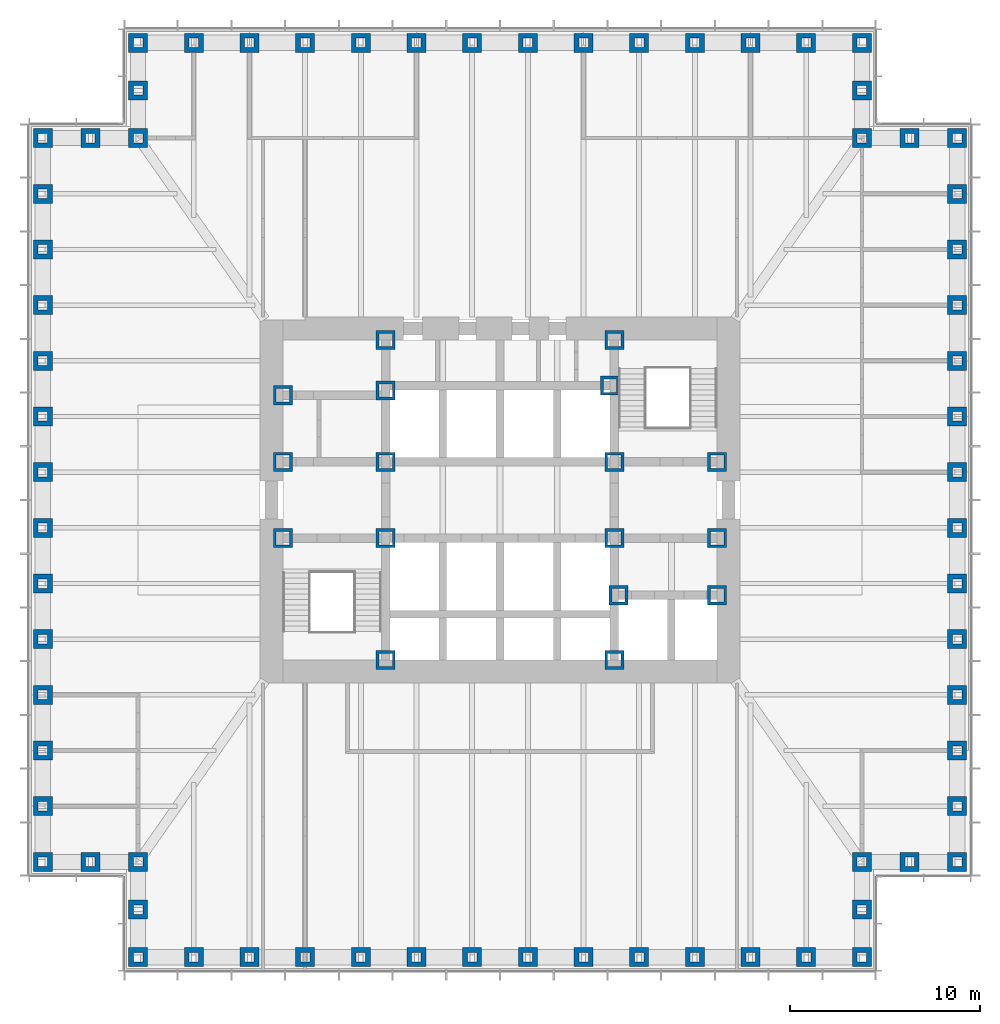
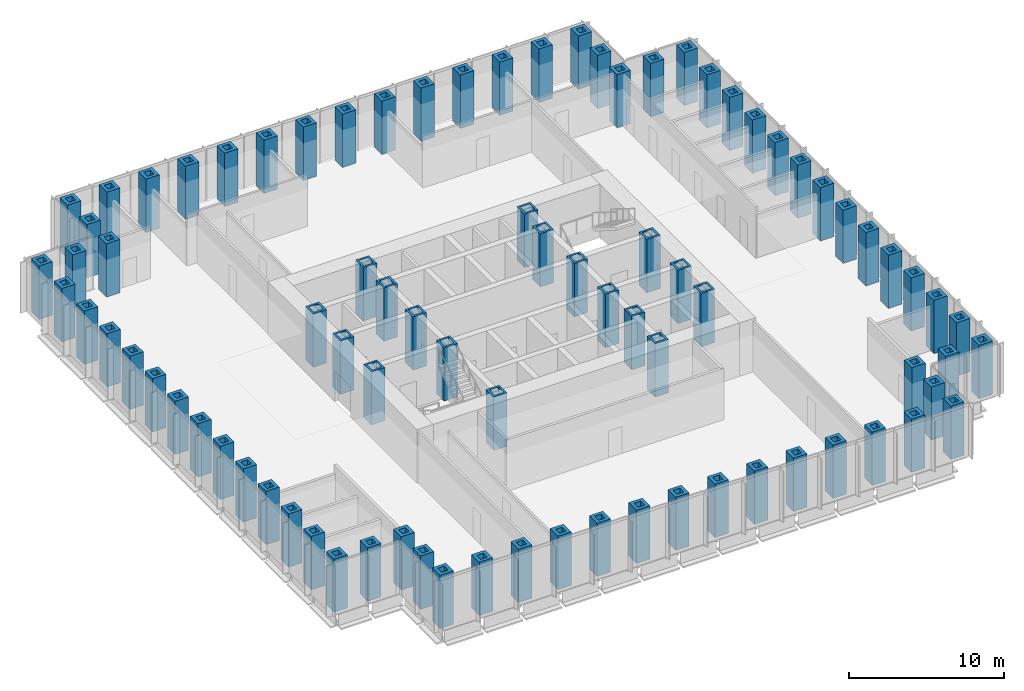
# One storey, part 1 of 16: 85 columns.
"""IFC4 building model written with IfcOpenShell, lengths in metres."""

from ifc_helpers import new_model, si_unit, direction, frame, origin, origin_2d, place, context, subcontext, project, spatial, hollow_rectangle, extrude, material, material_profile, profile_set, type_object, element, save


model = new_model("IFC4")

# Units and contexts
model_context = context("Model", 3, precision=1e-05, world=origin(), true_north=direction((0.0, 1.0)))
body_context = subcontext(model_context, "Body", "Model", "MODEL_VIEW")
ifc_project = project(units=[si_unit("LENGTHUNIT", "METRE"), si_unit("AREAUNIT", "SQUARE_METRE"), si_unit("VOLUMEUNIT", "CUBIC_METRE"), si_unit("PLANEANGLEUNIT", "RADIAN"), si_unit("MASSUNIT", "GRAM", prefix="KILO")], contexts=[model_context])

# Site, building, storey
site_placement = place(None, origin())
site = spatial("IfcSite", under=ifc_project, at=site_placement, CompositionType="ELEMENT")
building_placement = place(site_placement, origin())
building = spatial("IfcBuilding", under=site, at=building_placement, Name="Daluyong Arena Tower", CompositionType="ELEMENT")
storey_placement = place(building_placement, frame((0.0, 0.0, 51.699951171875)))
storey = spatial("IfcBuildingStorey", under=building, at=storey_placement, Name="L10", CompositionType="ELEMENT", Elevation=51.699951171875)

# Columns
ifc_material_1 = material(Name="Steel ASTM A588 Grade 50", Category="steel")
ifc_material_profile_1 = material_profile(ifc_material_1, hollow_rectangle(XDim=1.0, YDim=1.0, WallThickness=0.15, at=origin_2d()))
ifc_profile_set_1 = profile_set([ifc_material_profile_1], Name="Steel ASTM A588 Grade 50")
column_type_1 = type_object("IfcColumnType", Name="Core boundary column BX1000X150", PredefinedType="COLUMN", material=ifc_profile_set_1)
for number, where, z_axis, x_axis, name in (
    (1, (44.60009765625, 78.0, 0.0), (0.0, 0.0, 1.0), (1.0, 0.0, 0.0), "core boundary column BC1"),
    (2, (44.60009765625, 82.0, 0.0), (0.0, 0.0, 1.0), (1.0, 0.0, 0.0), "core boundary column BC1"),
    (3, (44.60009765625, 85.5, 0.0), (0.0, 0.0, 1.0), (1.0, 0.0, 0.0), "core boundary column BC1"),
    (4, (50.0, 71.60009765625, 0.0), (0.0, 0.0, 1.0), (1.0, 0.0, 0.0), "core boundary column BC1"),
    (5, (50.0, 78.0, 0.0), (0.0, 0.0, 1.0), (1.0, 0.0, 0.0), "core boundary column BC1"),
    (6, (50.0, 82.0, 0.0), (0.0, 0.0, 1.0), (1.0, 0.0, 0.0), "core boundary column BC1"),
    (7, (50.0, 85.75, 0.0), (0.0, 0.0, 1.0), (1.0, 0.0, 0.0), "core boundary column BC1"),
    (8, (50.0, 88.39990234375, 0.0), (0.0, 0.0, 1.0), (1.0, 0.0, 0.0), "core boundary column BC1"),
    (9, (61.77490234375, 86.0, 0.0), (0.0, 0.0, 1.0), (1.0, 0.0, 0.0), "core boundary column BC1"),
    (10, (62.0, 71.60009765625, 0.0), (0.0, 0.0, 1.0), (1.0, 0.0, 0.0), "core boundary column BC1"),
    (11, (62.0, 78.0, 0.0), (0.0, 0.0, 1.0), (1.0, 0.0, 0.0), "core boundary column BC1"),
    (12, (62.0, 82.0, 0.0), (0.0, 0.0, 1.0), (1.0, 0.0, 0.0), "core boundary column BC1"),
    (13, (62.0, 88.39990234375, 0.0), (0.0, 0.0, 1.0), (1.0, 0.0, 0.0), "core boundary column BC1"),
    (14, (62.22509765625, 75.0, 0.0), (0.0, 0.0, 1.0), (1.0, 0.0, 0.0), "core boundary column BC1"),
    (15, (67.39990234375, 75.0, 0.0), (0.0, 0.0, 1.0), (1.0, 0.0, 0.0), "core boundary column BC1"),
    (16, (67.39990234375, 78.0, 0.0), (0.0, 0.0, 1.0), (1.0, 0.0, 0.0), "core boundary column BC1"),
    (17, (67.39990234375, 82.0, 0.0), (0.0, 0.0, 1.0), (1.0, 0.0, 0.0), "core boundary column BC1"),
):
    element("IfcColumn", number, at=place(storey_placement, frame(where, z_axis=z_axis, x_axis=x_axis)), inside=storey, type_object=column_type_1, Name=name, PredefinedType="COLUMN", context=body_context, shape_type="SweptSolid", body=[
        extrude(hollow_rectangle(XDim=1.0, YDim=1.0, WallThickness=0.15, at=origin_2d()), origin(), (0.0, 0.0, 1.0), 4.199951171875),
    ])
ifc_material_2 = material(Name="Steel ASTM A36", Category="steel")
ifc_material_profile_2 = material_profile(ifc_material_2, hollow_rectangle(XDim=1.0, YDim=1.0, WallThickness=0.25, at=origin_2d()))
ifc_profile_set_2 = profile_set([ifc_material_profile_2], Name="Steel ASTM A36")
column_type_2 = type_object("IfcColumnType", Name="Tube column BX1000X250 BX1000X250", PredefinedType="COLUMN", material=ifc_profile_set_2)
for number, where, z_axis, x_axis, name in (
    (18, (37.0, 56.0, 0.0), (0.0, 0.0, 1.0), (1.0, 0.0, 0.0), "tube column bx1000x250 TC2"),
    (19, (39.923095703125, 56.0, 0.0), (0.0, 0.0, 1.0), (1.0, 0.0, 0.0), "tube column bx1000x250 TC2"),
    (20, (42.84619140625, 56.0, 0.0), (0.0, 0.0, 1.0), (1.0, 0.0, 0.0), "tube column bx1000x250 TC2"),
    (21, (45.769287109375, 56.0, 0.0), (0.0, 0.0, 1.0), (1.0, 0.0, 0.0), "tube column bx1000x250 TC2"),
    (22, (48.6923828125, 56.0, 0.0), (0.0, 0.0, 1.0), (1.0, 0.0, 0.0), "tube column bx1000x250 TC2"),
    (23, (51.615478515625, 56.0, 0.0), (0.0, 0.0, 1.0), (1.0, 0.0, 0.0), "tube column bx1000x250 TC2"),
    (24, (54.53857421875, 56.0, 0.0), (0.0, 0.0, 1.0), (1.0, 0.0, 0.0), "tube column bx1000x250 TC2"),
    (25, (57.46142578125, 56.0, 0.0), (0.0, 0.0, 1.0), (1.0, 0.0, 0.0), "tube column bx1000x250 TC2"),
    (26, (60.384521484375, 56.0, 0.0), (0.0, 0.0, 1.0), (1.0, 0.0, 0.0), "tube column bx1000x250 TC2"),
    (27, (63.3076171875, 56.0, 0.0), (0.0, 0.0, 1.0), (1.0, 0.0, 0.0), "tube column bx1000x250 TC2"),
    (28, (66.230712890625, 56.0, 0.0), (0.0, 0.0, 1.0), (1.0, 0.0, 0.0), "tube column bx1000x250 TC2"),
    (29, (69.15380859375, 56.0, 0.0), (0.0, 0.0, 1.0), (1.0, 0.0, 0.0), "tube column bx1000x250 TC2"),
    (30, (72.076904296875, 56.0, 0.0), (0.0, 0.0, 1.0), (1.0, 0.0, 0.0), "tube column bx1000x250 TC2"),
    (31, (75.0, 56.0, 0.0), (0.0, 0.0, 1.0), (0.0, 1.0, 0.0), "tube column bx1000x250 TC2"),
    (32, (75.0, 58.5, 0.0), (0.0, 0.0, 1.0), (0.0, 1.0, 0.0), "tube column bx1000x250 TC2"),
    (33, (75.0, 61.0, 0.0), (0.0, 0.0, 1.0), (1.0, 0.0, 0.0), "tube column bx1000x250 TC2"),
    (34, (77.5, 61.0, 0.0), (0.0, 0.0, 1.0), (1.0, 0.0, 0.0), "tube column bx1000x250 TC2"),
    (35, (80.0, 61.0, 0.0), (0.0, 0.0, 1.0), (0.0, 1.0, 0.0), "tube column bx1000x250 TC2"),
    (36, (80.0, 63.923095703125, 0.0), (0.0, 0.0, 1.0), (0.0, 1.0, 0.0), "tube column bx1000x250 TC2"),
    (37, (80.0, 66.84619140625, 0.0), (0.0, 0.0, 1.0), (0.0, 1.0, 0.0), "tube column bx1000x250 TC2"),
    (38, (80.0, 69.769287109375, 0.0), (0.0, 0.0, 1.0), (0.0, 1.0, 0.0), "tube column bx1000x250 TC2"),
    (39, (80.0, 72.6923828125, 0.0), (0.0, 0.0, 1.0), (0.0, 1.0, 0.0), "tube column bx1000x250 TC2"),
    (40, (80.0, 75.615478515625, 0.0), (0.0, 0.0, 1.0), (0.0, 1.0, 0.0), "tube column bx1000x250 TC2"),
    (41, (80.0, 78.53857421875, 0.0), (0.0, 0.0, 1.0), (0.0, 1.0, 0.0), "tube column bx1000x250 TC2"),
    (42, (80.0, 81.46142578125, 0.0), (0.0, 0.0, 1.0), (0.0, 1.0, 0.0), "tube column bx1000x250 TC2"),
    (43, (80.0, 84.384521484375, 0.0), (0.0, 0.0, 1.0), (0.0, 1.0, 0.0), "tube column bx1000x250 TC2"),
    (44, (80.0, 87.3076171875, 0.0), (0.0, 0.0, 1.0), (0.0, 1.0, 0.0), "tube column bx1000x250 TC2"),
    (45, (80.0, 90.230712890625, 0.0), (0.0, 0.0, 1.0), (0.0, 1.0, 0.0), "tube column bx1000x250 TC2"),
    (46, (80.0, 93.15380859375, 0.0), (0.0, 0.0, 1.0), (0.0, 1.0, 0.0), "tube column bx1000x250 TC2"),
    (47, (80.0, 96.076904296875, 0.0), (0.0, 0.0, 1.0), (0.0, 1.0, 0.0), "tube column bx1000x250 TC2"),
    (48, (80.0, 99.0, 0.0), (0.0, 0.0, 1.0), (1.0, 0.0, 0.0), "tube column bx1000x250 TC2"),
    (49, (77.5, 99.0, 0.0), (0.0, 0.0, 1.0), (1.0, 0.0, 0.0), "tube column bx1000x250 TC2"),
    (50, (75.0, 99.0, 0.0), (0.0, 0.0, 1.0), (0.0, 1.0, 0.0), "tube column bx1000x250 TC2"),
    (51, (75.0, 101.5, 0.0), (0.0, 0.0, 1.0), (0.0, 1.0, 0.0), "tube column bx1000x250 TC2"),
    (52, (75.0, 104.0, 0.0), (0.0, 0.0, 1.0), (1.0, 0.0, 0.0), "tube column bx1000x250 TC2"),
    (53, (72.076904296875, 104.0, 0.0), (0.0, 0.0, 1.0), (1.0, 0.0, 0.0), "tube column bx1000x250 TC2"),
    (54, (69.15380859375, 104.0, 0.0), (0.0, 0.0, 1.0), (1.0, 0.0, 0.0), "tube column bx1000x250 TC2"),
    (55, (66.230712890625, 104.0, 0.0), (0.0, 0.0, 1.0), (1.0, 0.0, 0.0), "tube column bx1000x250 TC2"),
    (56, (63.3076171875, 104.0, 0.0), (0.0, 0.0, 1.0), (1.0, 0.0, 0.0), "tube column bx1000x250 TC2"),
    (57, (60.384521484375, 104.0, 0.0), (0.0, 0.0, 1.0), (1.0, 0.0, 0.0), "tube column bx1000x250 TC2"),
    (58, (57.46142578125, 104.0, 0.0), (0.0, 0.0, 1.0), (1.0, 0.0, 0.0), "tube column bx1000x250 TC2"),
    (59, (54.53857421875, 104.0, 0.0), (0.0, 0.0, 1.0), (1.0, 0.0, 0.0), "tube column bx1000x250 TC2"),
    (60, (51.615478515625, 104.0, 0.0), (0.0, 0.0, 1.0), (1.0, 0.0, 0.0), "tube column bx1000x250 TC2"),
    (61, (48.6923828125, 104.0, 0.0), (0.0, 0.0, 1.0), (1.0, 0.0, 0.0), "tube column bx1000x250 TC2"),
    (62, (45.769287109375, 104.0, 0.0), (0.0, 0.0, 1.0), (1.0, 0.0, 0.0), "tube column bx1000x250 TC2"),
    (63, (42.84619140625, 104.0, 0.0), (0.0, 0.0, 1.0), (1.0, 0.0, 0.0), "tube column bx1000x250 TC2"),
    (64, (39.923095703125, 104.0, 0.0), (0.0, 0.0, 1.0), (1.0, 0.0, 0.0), "tube column bx1000x250 TC2"),
    (65, (37.0, 104.0, 0.0), (0.0, 0.0, 1.0), (0.0, 1.0, 0.0), "tube column bx1000x250 TC2"),
    (66, (37.0, 101.5, 0.0), (0.0, 0.0, 1.0), (0.0, 1.0, 0.0), "tube column bx1000x250 TC2"),
    (67, (37.0, 99.0, 0.0), (0.0, 0.0, 1.0), (1.0, 0.0, 0.0), "tube column bx1000x250 TC2"),
    (68, (34.5, 99.0, 0.0), (0.0, 0.0, 1.0), (1.0, 0.0, 0.0), "tube column bx1000x250 TC2"),
    (69, (32.0, 99.0, 0.0), (0.0, 0.0, 1.0), (0.0, 1.0, 0.0), "tube column bx1000x250 TC2"),
    (70, (32.0, 96.076904296875, 0.0), (0.0, 0.0, 1.0), (0.0, 1.0, 0.0), "tube column bx1000x250 TC2"),
    (71, (32.0, 93.15380859375, 0.0), (0.0, 0.0, 1.0), (0.0, 1.0, 0.0), "tube column bx1000x250 TC2"),
    (72, (32.0, 90.230712890625, 0.0), (0.0, 0.0, 1.0), (0.0, 1.0, 0.0), "tube column bx1000x250 TC2"),
    (73, (32.0, 87.3076171875, 0.0), (0.0, 0.0, 1.0), (0.0, 1.0, 0.0), "tube column bx1000x250 TC2"),
    (74, (32.0, 84.384521484375, 0.0), (0.0, 0.0, 1.0), (0.0, 1.0, 0.0), "tube column bx1000x250 TC2"),
    (75, (32.0, 81.46142578125, 0.0), (0.0, 0.0, 1.0), (0.0, 1.0, 0.0), "tube column bx1000x250 TC2"),
    (76, (32.0, 78.53857421875, 0.0), (0.0, 0.0, 1.0), (0.0, 1.0, 0.0), "tube column bx1000x250 TC2"),
    (77, (32.0, 75.615478515625, 0.0), (0.0, 0.0, 1.0), (0.0, 1.0, 0.0), "tube column bx1000x250 TC2"),
    (78, (32.0, 72.6923828125, 0.0), (0.0, 0.0, 1.0), (0.0, 1.0, 0.0), "tube column bx1000x250 TC2"),
    (79, (32.0, 69.769287109375, 0.0), (0.0, 0.0, 1.0), (0.0, 1.0, 0.0), "tube column bx1000x250 TC2"),
    (80, (32.0, 66.84619140625, 0.0), (0.0, 0.0, 1.0), (0.0, 1.0, 0.0), "tube column bx1000x250 TC2"),
    (81, (32.0, 63.923095703125, 0.0), (0.0, 0.0, 1.0), (0.0, 1.0, 0.0), "tube column bx1000x250 TC2"),
    (82, (32.0, 61.0, 0.0), (0.0, 0.0, 1.0), (1.0, 0.0, 0.0), "tube column bx1000x250 TC2"),
    (83, (34.5, 61.0, 0.0), (0.0, 0.0, 1.0), (1.0, 0.0, 0.0), "tube column bx1000x250 TC2"),
    (84, (37.0, 61.0, 0.0), (0.0, 0.0, 1.0), (0.0, 1.0, 0.0), "tube column bx1000x250 TC2"),
    (85, (37.0, 58.5, 0.0), (0.0, 0.0, 1.0), (0.0, 1.0, 0.0), "tube column bx1000x250 TC2"),
):
    element("IfcColumn", number, at=place(storey_placement, frame(where, z_axis=z_axis, x_axis=x_axis)), inside=storey, type_object=column_type_2, Name=name, PredefinedType="COLUMN", context=body_context, shape_type="SweptSolid", body=[
        extrude(hollow_rectangle(XDim=1.0, YDim=1.0, WallThickness=0.25, at=origin_2d()), origin(), (0.0, 0.0, 1.0), 4.199951171875),
    ])

save(model, "model.ifc")
